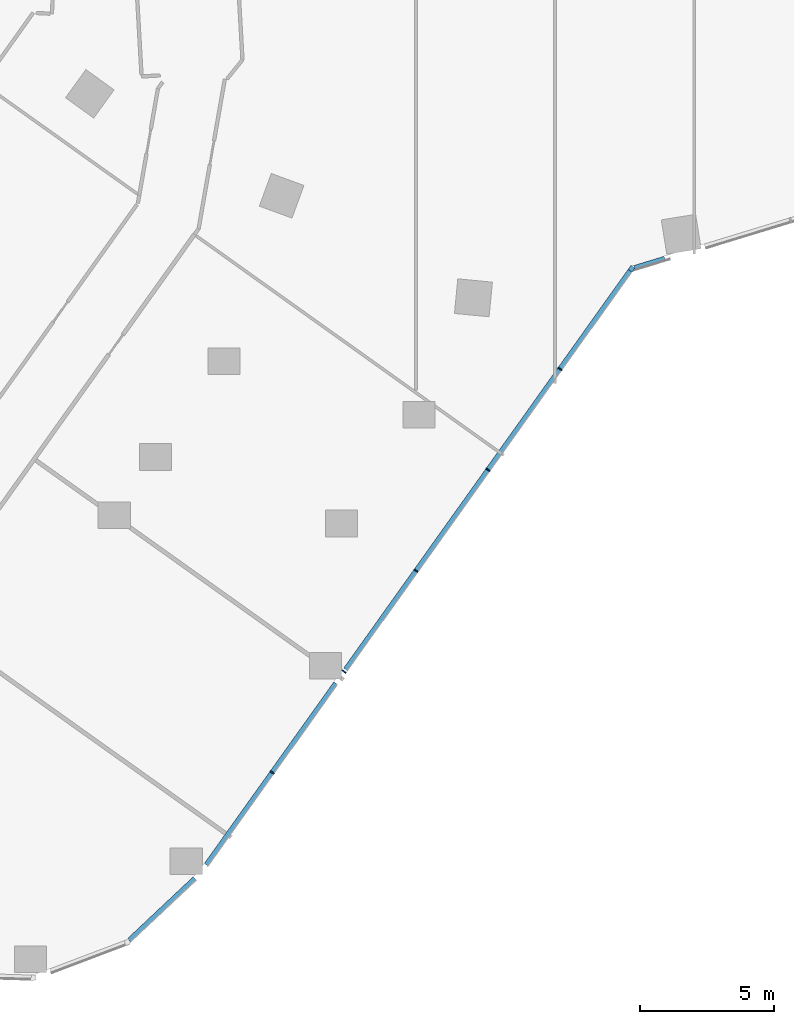
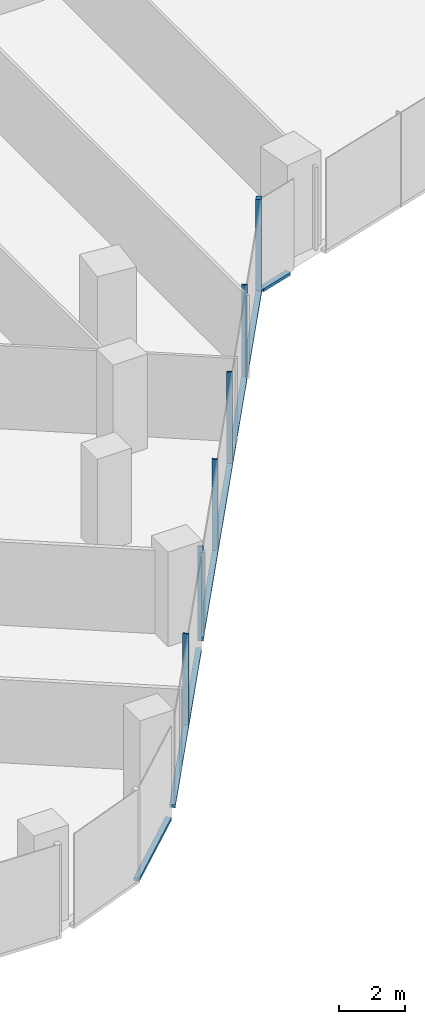
# One storey, part 5 of 31: 10 members, 3 elements without a shape of their own.
"""IFC4 building model written with IfcOpenShell, lengths in metres."""

from ifc_helpers import new_model, si_unit, direction, frame, origin, origin_2d, place, context, subcontext, project, spatial, rectangle, extrude, material, material_profile, profile_set, type_object, element, aggregate, save


model = new_model("IFC4")

# Units and contexts
model_context = context("Model", 3, precision=1e-05, world=origin(), true_north=direction((0.0, 1.0)))
body_context = subcontext(model_context, "Body", "Model", "MODEL_VIEW")
ifc_project = project(units=[si_unit("LENGTHUNIT", "METRE"), si_unit("AREAUNIT", "SQUARE_METRE"), si_unit("VOLUMEUNIT", "CUBIC_METRE"), si_unit("PLANEANGLEUNIT", "RADIAN"), si_unit("MASSUNIT", "GRAM", prefix="KILO")], contexts=[model_context])

# Site, building, storey
site_placement = place(None, origin())
site = spatial("IfcSite", under=ifc_project, at=site_placement, CompositionType="ELEMENT")
building_placement = place(site_placement, origin())
building = spatial("IfcBuilding", under=site, at=building_placement, Name="Orlundy Tower", CompositionType="ELEMENT")
storey_placement = place(building_placement, frame((0.0, 0.0, 84.199951171875)))
storey = spatial("IfcBuildingStorey", under=building, at=storey_placement, Name="L20", CompositionType="ELEMENT", Elevation=84.199951171875)

# Curtain wall, members
ifc_material_1 = material(Name="Aluminium bronze anodised", Category="aluminium")
curtain_wall_type = type_object("IfcCurtainWallType", Name="CW1 wall", PredefinedType="NOTDEFINED", material=ifc_material_1)
curtain_wall_1_placement = place(storey_placement, origin())
curtain_wall_1 = element("IfcCurtainWall", 1, at=curtain_wall_1_placement, inside=storey, type_object=curtain_wall_type, Name="CW1 run 018", PredefinedType="NOTDEFINED")
ifc_material_2 = material(Name="Aluminium bronze anodised", Category="aluminium")
ifc_material_profile_1 = material_profile(ifc_material_2, rectangle(XDim=0.179931640625, YDim=0.179931640625, at=origin_2d()), Name="CW1 corner post 180x180")
ifc_profile_set_1 = profile_set([ifc_material_profile_1], Name="Aluminium bronze anodised")
member_type_1 = type_object("IfcMemberType", Name="CW1 corner post 180x180", PredefinedType="MULLION", material=ifc_profile_set_1)
member_1_placement = place(storey_placement, frame((2.8564453125, -30.591064453125, -0.39990234375), z_axis=(0.0, 0.0, 1.0), x_axis=(0.814110230009, -0.580710369629, 0.0)))
member_1 = element("IfcMember", 2, at=member_1_placement, type_object=member_type_1, Name="CW1 mullion 51", PredefinedType="MULLION", context=body_context, shape_type="SweptSolid", body=[
    extrude(rectangle(XDim=0.179931640625, YDim=0.179931640625, at=origin_2d()), origin(), (0.0, 0.0, 1.0), 3.5),
])
ifc_material_3 = material(Name="Aluminium bronze anodised", Category="aluminium")
ifc_material_profile_2 = material_profile(ifc_material_3, rectangle(XDim=0.179931640625, YDim=0.050048828125, at=origin_2d()), Name="CW1 mullion 50x180")
ifc_profile_set_2 = profile_set([ifc_material_profile_2], Name="Aluminium bronze anodised")
member_type_2 = type_object("IfcMemberType", Name="CW1 mullion 50x180", PredefinedType="MULLION", material=ifc_profile_set_2)
member_2_placement = place(storey_placement, frame((0.18505859375, -34.336181640625, -0.39990234375), z_axis=(0.0, 0.0, 1.0), x_axis=(0.814110230009, -0.580710369629, 0.0)))
member_2 = element("IfcMember", 3, at=member_2_placement, type_object=member_type_2, Name="CW1 mullion 52", PredefinedType="MULLION", context=body_context, shape_type="SweptSolid", body=[
    extrude(rectangle(XDim=0.179931640625, YDim=0.050048828125, at=origin_2d()), origin(), (0.0, 0.0, 1.0), 3.5),
])
member_3_placement = place(storey_placement, frame((-2.504150390625, -38.106201171875, -0.39990234375), z_axis=(0.0, 0.0, 1.0), x_axis=(0.814110230009, -0.580710369629, 0.0)))
member_3 = element("IfcMember", 4, at=member_3_placement, type_object=member_type_2, Name="CW1 mullion 53", PredefinedType="MULLION", context=body_context, shape_type="SweptSolid", body=[
    extrude(rectangle(XDim=0.179931640625, YDim=0.050048828125, at=origin_2d()), origin(), (0.0, 0.0, 1.0), 3.5),
])
member_4_placement = place(storey_placement, frame((-5.193115234375, -41.876220703125, -0.39990234375), z_axis=(0.0, 0.0, 1.0), x_axis=(0.814110230009, -0.580710369629, 0.0)))
member_4 = element("IfcMember", 5, at=member_4_placement, type_object=member_type_2, Name="CW1 mullion 54", PredefinedType="MULLION", context=body_context, shape_type="SweptSolid", body=[
    extrude(rectangle(XDim=0.179931640625, YDim=0.050048828125, at=origin_2d()), origin(), (0.0, 0.0, 1.0), 3.5),
])
member_5_placement = place(storey_placement, frame((-7.88232421875, -45.646240234375, -0.39990234375), z_axis=(0.0, 0.0, 1.0), x_axis=(0.814110230009, -0.580710369629, 0.0)))
member_5 = element("IfcMember", 6, at=member_5_placement, type_object=member_type_2, Name="CW1 mullion 55", PredefinedType="MULLION", context=body_context, shape_type="SweptSolid", body=[
    extrude(rectangle(XDim=0.179931640625, YDim=0.050048828125, at=origin_2d()), origin(), (0.0, 0.0, 1.0), 3.5),
])
member_6_placement = place(storey_placement, frame((-10.571533203125, -49.416259765625, -0.39990234375), z_axis=(0.0, 0.0, 1.0), x_axis=(0.814110230009, -0.580710369629, 0.0)))
member_6 = element("IfcMember", 7, at=member_6_placement, type_object=member_type_2, Name="CW1 mullion 56", PredefinedType="MULLION", context=body_context, shape_type="SweptSolid", body=[
    extrude(rectangle(XDim=0.179931640625, YDim=0.050048828125, at=origin_2d()), origin(), (0.0, 0.0, 1.0), 3.5),
])

# Curtain wall, member
curtain_wall_2_placement = place(storey_placement, origin())
curtain_wall_2 = element("IfcCurtainWall", 8, at=curtain_wall_2_placement, inside=storey, type_object=curtain_wall_type, Name="CW1 run 017", PredefinedType="NOTDEFINED")
ifc_material_4 = material(Name="Aluminium bronze anodised", Category="aluminium")
ifc_material_profile_3 = material_profile(ifc_material_4, rectangle(XDim=0.179931640625, YDim=0.1201171875, at=origin_2d()), Name="CW1 transom 180x120")
ifc_profile_set_3 = profile_set([ifc_material_profile_3], Name="Aluminium bronze anodised")
member_type_3 = type_object("IfcMemberType", Name="CW1 transom 180x120", PredefinedType="USERDEFINED", material=ifc_profile_set_3)
member_7_placement = place(storey_placement, frame((4.099853515625, -30.211181640625, -0.33984375), z_axis=(-0.956364348349, -0.292176715718, 0.0), x_axis=(0.292176715718, -0.956364348349, 0.0)))
member_7 = element("IfcMember", 9, at=member_7_placement, type_object=member_type_3, Name="CW1 transom", ObjectType="TRANSOM", PredefinedType="USERDEFINED", context=body_context, shape_type="SweptSolid", body=[
    extrude(rectangle(XDim=0.179931640625, YDim=0.1201171875, at=origin_2d()), origin(), (0.0, 0.0, 1.0), 1.1865234375),
])
aggregate(curtain_wall_2, [member_7])

# Member
member_8_placement = place(storey_placement, frame((2.80419921875, -30.664306640625, -0.33984375), z_axis=(-0.580704410248, -0.814114480843, 0.0), x_axis=(0.814114480843, -0.580704410248, 0.0)))
member_8 = element("IfcMember", 10, at=member_8_placement, type_object=member_type_3, Name="CW1 transom", ObjectType="TRANSOM", PredefinedType="USERDEFINED", context=body_context, shape_type="SweptSolid", body=[
    extrude(rectangle(XDim=0.179931640625, YDim=0.1201171875, at=origin_2d()), origin(), (0.0, 0.0, 1.0), 18.3056640625),
])

member_9_placement = place(storey_placement, frame((-8.1923828125, -46.0810546875, -0.33984375), z_axis=(-0.580722740439, -0.814101405684, 0.0), x_axis=(0.814101405684, -0.580722740439, 0.0)))
member_9 = element("IfcMember", 11, at=member_9_placement, type_object=member_type_3, Name="CW1 transom", ObjectType="TRANSOM", PredefinedType="USERDEFINED", context=body_context, shape_type="SweptSolid", body=[
    extrude(rectangle(XDim=0.179931640625, YDim=0.1201171875, at=origin_2d()), origin(), (0.0, 0.0, 1.0), 8.33544921875),
])

aggregate(curtain_wall_1, [member_1, member_2, member_3, member_4, member_5, member_6, member_8, member_9])

# Curtain wall, member
curtain_wall_3_placement = place(storey_placement, origin())
curtain_wall_3 = element("IfcCurtainWall", 12, at=curtain_wall_3_placement, inside=storey, type_object=curtain_wall_type, Name="CW1 run 019", PredefinedType="NOTDEFINED")
member_10_placement = place(storey_placement, frame((-13.465087890625, -53.381103515625, -0.33984375), z_axis=(-0.728240499121, -0.685321658377, 0.0), x_axis=(0.685321658377, -0.728240499121, 0.0)))
member_10 = element("IfcMember", 13, at=member_10_placement, type_object=member_type_3, Name="CW1 transom", ObjectType="TRANSOM", PredefinedType="USERDEFINED", context=body_context, shape_type="SweptSolid", body=[
    extrude(rectangle(XDim=0.179931640625, YDim=0.1201171875, at=origin_2d()), origin(), (0.0, 0.0, 1.0), 3.36181640625),
])
aggregate(curtain_wall_3, [member_10])

save(model, "model.ifc")
